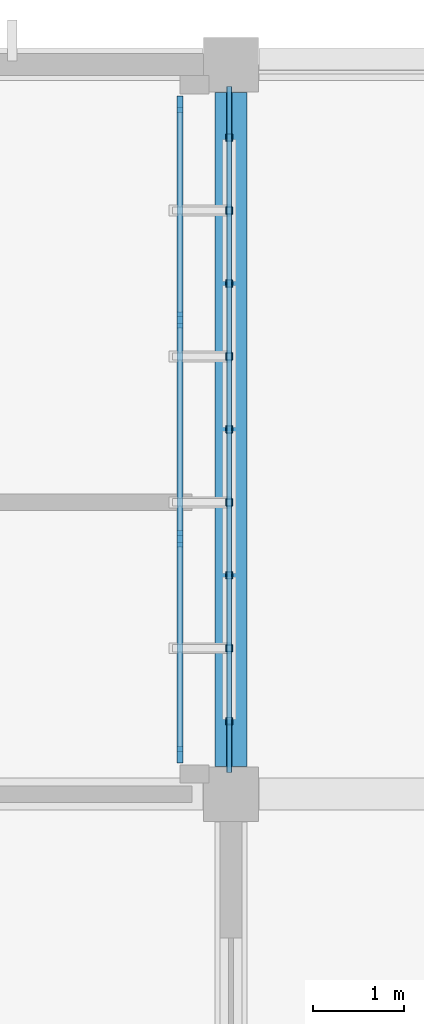
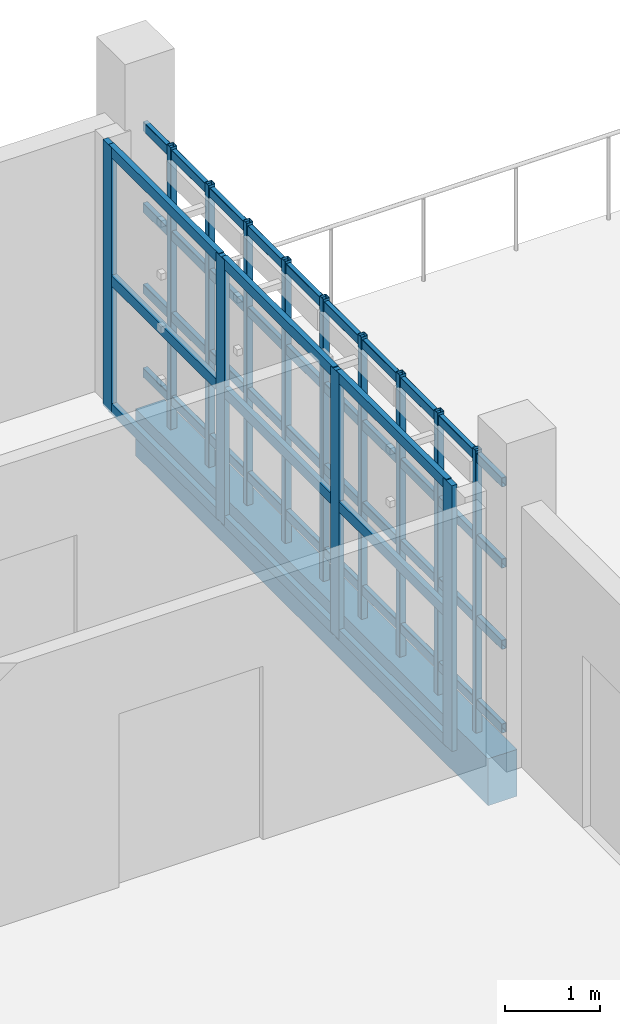
# One storey, part 25 of 48: 26 members, 1 beam, 1 element without a shape of its own.
"""IFC4 building model written with IfcOpenShell, lengths in metres."""

from ifc_helpers import new_model, si_unit, direction, frame, origin, origin_2d, place, context, subcontext, project, spatial, rectangle, hollow_rectangle, extrude, material, layer, layer_set, material_profile, profile_set, type_object, element, aggregate, save


model = new_model("IFC4")

# Units and contexts
model_context = context("Model", 3, precision=1e-05, world=origin(), true_north=direction((0.0, 1.0)))
body_context = subcontext(model_context, "Body", "Model", "MODEL_VIEW")
ifc_project = project(units=[si_unit("LENGTHUNIT", "METRE"), si_unit("AREAUNIT", "SQUARE_METRE"), si_unit("VOLUMEUNIT", "CUBIC_METRE"), si_unit("PLANEANGLEUNIT", "RADIAN"), si_unit("MASSUNIT", "GRAM", prefix="KILO")], contexts=[model_context])

# Site, building, storey
site_placement = place(None, origin())
site = spatial("IfcSite", under=ifc_project, at=site_placement, CompositionType="ELEMENT")
building_placement = place(site_placement, origin())
building = spatial("IfcBuilding", under=site, at=building_placement, Name="Jelvoka-Kovrelna Polytechnic", CompositionType="ELEMENT")
storey_placement = place(building_placement, frame((0.0, 0.0, 22.199951171875)))
storey = spatial("IfcBuildingStorey", under=building, at=storey_placement, Name="L06", CompositionType="ELEMENT", Elevation=22.199951171875)

# Beam
ifc_material_1 = material(Name="Concrete C35/45", Category="concrete")
ifc_material_profile_1 = material_profile(ifc_material_1, rectangle(XDim=0.35009765625, YDim=0.60009765625, at=origin_2d()), Name="RC 350x600")
ifc_profile_set_1 = profile_set([ifc_material_profile_1], Name="Concrete C35/45")
beam_type = type_object("IfcBeamType", Name="Beam_RC_350x600", PredefinedType="BEAM", material=ifc_profile_set_1)
beam_placement = place(storey_placement, frame((184.0, 64.304931640625, -0.5400390625), z_axis=(0.0, 1.0, 0.0), x_axis=(-1.0, 0.0, 0.0)))
element("IfcBeam", 1, at=beam_placement, inside=storey, type_object=beam_type, Name="L06 beam 1771", PredefinedType="BEAM", context=body_context, shape_type="SweptSolid", body=[
    extrude(rectangle(XDim=0.35009765625, YDim=0.60009765625, at=origin_2d()), origin(), (0.0, 0.0, 1.0), 7.39013671875),
])

# Members
ifc_material_2 = material(Name="Structural steel S355J2H", Category="steel")
ifc_material_profile_2 = material_profile(ifc_material_2, hollow_rectangle(XDim=0.06005859375, YDim=0.1201171875, WallThickness=0.0048828125, InnerFilletRadius=0.0048828125, OuterFilletRadius=0.007568359375, at=origin_2d()), Name="120x60x5.0 RHS")
ifc_profile_set_2 = profile_set([ifc_material_profile_2], Name="Structural steel S355J2H")
member_type_1 = type_object("IfcMemberType", Name="Member_Strut_RHS120", PredefinedType="STRUT", material=ifc_profile_set_2)
for number, where, z_axis, x_axis, name in (
    (2, (183.97998046875, 64.239990234375, 0.14013671875), (0.0, 1.0, 0.0), (-1.0, 0.0, 0.0), "L06 terracotta screen horizontal strut 0768"),
    (3, (183.97998046875, 64.239990234375, 1.2109375), (0.0, 1.0, 0.0), (-1.0, 0.0, 0.0), "L06 terracotta screen horizontal strut 0769"),
    (4, (183.97998046875, 64.239990234375, 2.25048828125), (0.0, 1.0, 0.0), (-1.0, 0.0, 0.0), "L06 terracotta screen horizontal strut 0770"),
    (5, (183.97998046875, 64.239990234375, 3.2900390625), (0.0, 1.0, 0.0), (-1.0, 0.0, 0.0), "L06 terracotta screen horizontal strut 0771"),
):
    element("IfcMember", number, at=place(storey_placement, frame(where, z_axis=z_axis, x_axis=x_axis)), inside=storey, type_object=member_type_1, Name=name, PredefinedType="STRUT", context=body_context, shape_type="SweptSolid", body=[
        extrude(hollow_rectangle(XDim=0.06005859375, YDim=0.1201171875, WallThickness=0.0048828125, InnerFilletRadius=0.0048828125, OuterFilletRadius=0.007568359375, at=origin_2d()), origin(), (0.0, 0.0, 1.0), 7.52001953125),
    ])
ifc_material_3 = material(Name="Structural steel S355J2H", Category="steel")
ifc_material_profile_3 = material_profile(ifc_material_3, hollow_rectangle(XDim=0.080078125, YDim=0.080078125, WallThickness=0.0048828125, InnerFilletRadius=0.0048828125, OuterFilletRadius=0.007568359375, at=origin_2d()), Name="80x80x5.0 SHS")
ifc_profile_set_3 = profile_set([ifc_material_profile_3], Name="Structural steel S355J2H")
member_type_2 = type_object("IfcMemberType", Name="Member_Strut_SHS80", PredefinedType="STRUT", material=ifc_profile_set_3)
for number, where, z_axis, x_axis, name in (
    (6, (183.97998046875, 64.800048828125, -0.22998046875), (0.0, 0.0, 1.0), (1.0, 0.0, 0.0), "L06 terracotta lattice vertical rib 0772"),
    (7, (183.97998046875, 65.60009765625, -0.22998046875), (0.0, 0.0, 1.0), (1.0, 0.0, 0.0), "L06 terracotta lattice vertical rib 0773"),
    (8, (183.97998046875, 66.39990234375, -0.22998046875), (0.0, 0.0, 1.0), (1.0, 0.0, 0.0), "L06 terracotta lattice vertical rib 0774"),
    (9, (183.97998046875, 67.199951171875, -0.22998046875), (0.0, 0.0, 1.0), (1.0, 0.0, 0.0), "L06 terracotta lattice vertical rib 0775"),
    (10, (183.97998046875, 68.0, -0.22998046875), (0.0, 0.0, 1.0), (1.0, 0.0, 0.0), "L06 terracotta lattice vertical rib 0776"),
    (11, (183.97998046875, 68.800048828125, -0.22998046875), (0.0, 0.0, 1.0), (1.0, 0.0, 0.0), "L06 terracotta lattice vertical rib 0777"),
    (12, (183.97998046875, 69.60009765625, -0.22998046875), (0.0, 0.0, 1.0), (1.0, 0.0, 0.0), "L06 terracotta lattice vertical rib 0778"),
    (13, (183.97998046875, 70.39990234375, -0.22998046875), (0.0, 0.0, 1.0), (1.0, 0.0, 0.0), "L06 terracotta lattice vertical rib 0779"),
    (14, (183.97998046875, 71.199951171875, -0.22998046875), (0.0, 0.0, 1.0), (1.0, 0.0, 0.0), "L06 terracotta lattice vertical rib 0780"),
):
    element("IfcMember", number, at=place(storey_placement, frame(where, z_axis=z_axis, x_axis=x_axis)), inside=storey, type_object=member_type_2, Name=name, PredefinedType="STRUT", context=body_context, shape_type="SweptSolid", body=[
        extrude(hollow_rectangle(XDim=0.080078125, YDim=0.080078125, WallThickness=0.0048828125, InnerFilletRadius=0.0048828125, OuterFilletRadius=0.007568359375, at=origin_2d()), origin(), (0.0, 0.0, 1.0), 3.610107421875),
    ])

# Curtain wall, members
ifc_material_4 = material(Name="Anodised aluminium 6063-T6", Category="aluminium")
ifc_layer = layer(ifc_material_4, 0.179931640625)
ifc_layer_set = layer_set([ifc_layer], Name="Anodised aluminium 6063-T6")
curtain_wall_type = type_object("IfcCurtainWallType", Name="CW_Recessed_B", PredefinedType="NOTDEFINED", material=ifc_layer_set)
curtain_wall_placement = place(storey_placement, origin())
curtain_wall = element("IfcCurtainWall", 15, at=curtain_wall_placement, inside=storey, type_object=curtain_wall_type, Name="L06 glazed curtain wall 092", PredefinedType="NOTDEFINED")
ifc_material_5 = material(Name="Anodised aluminium 6063-T6", Category="aluminium")
ifc_material_profile_4 = material_profile(ifc_material_5, rectangle(XDim=0.06494140625, YDim=0.179931640625, at=origin_2d()), Name="ALU 65x180")
ifc_profile_set_4 = profile_set([ifc_material_profile_4], Name="Anodised aluminium 6063-T6")
member_type_3 = type_object("IfcMemberType", Name="Mullion_M-02", PredefinedType="MULLION", material=ifc_profile_set_4)
member_1_placement = place(storey_placement, frame((183.43994140625, 71.5673828125, -0.02490234375), z_axis=(0.0, 0.0, 1.0), x_axis=(1.0, 0.0, 0.0)))
member_1 = element("IfcMember", 16, at=member_1_placement, type_object=member_type_3, Name="CW-02 mullion 1", PredefinedType="MULLION", context=body_context, shape_type="SweptSolid", body=[
    extrude(rectangle(XDim=0.06494140625, YDim=0.179931640625, at=origin_2d()), origin(), (0.0, 0.0, 1.0), 3.400146484375),
])
member_2_placement = place(storey_placement, frame((183.43994140625, 69.199951171875, -0.02490234375), z_axis=(0.0, 0.0, 1.0), x_axis=(1.0, 0.0, 0.0)))
member_2 = element("IfcMember", 17, at=member_2_placement, type_object=member_type_3, Name="CW-02 mullion 2", PredefinedType="MULLION", context=body_context, shape_type="SweptSolid", body=[
    extrude(rectangle(XDim=0.06494140625, YDim=0.179931640625, at=origin_2d()), origin(), (0.0, 0.0, 1.0), 3.400146484375),
])
member_3_placement = place(storey_placement, frame((183.43994140625, 66.800048828125, -0.02490234375), z_axis=(0.0, 0.0, 1.0), x_axis=(1.0, 0.0, 0.0)))
member_3 = element("IfcMember", 18, at=member_3_placement, type_object=member_type_3, Name="CW-02 mullion 3", PredefinedType="MULLION", context=body_context, shape_type="SweptSolid", body=[
    extrude(rectangle(XDim=0.06494140625, YDim=0.179931640625, at=origin_2d()), origin(), (0.0, 0.0, 1.0), 3.400146484375),
])
member_4_placement = place(storey_placement, frame((183.43994140625, 64.4326171875, -0.02490234375), z_axis=(0.0, 0.0, 1.0), x_axis=(1.0, 0.0, 0.0)))
member_4 = element("IfcMember", 19, at=member_4_placement, type_object=member_type_3, Name="CW-02 mullion 4", PredefinedType="MULLION", context=body_context, shape_type="SweptSolid", body=[
    extrude(rectangle(XDim=0.06494140625, YDim=0.179931640625, at=origin_2d()), origin(), (0.0, 0.0, 1.0), 3.400146484375),
])
ifc_material_6 = material(Name="Anodised aluminium 6063-T6", Category="aluminium")
ifc_material_profile_5 = material_profile(ifc_material_6, rectangle(XDim=0.06494140625, YDim=0.135009765625, at=origin_2d()), Name="ALU 65x135")
ifc_profile_set_5 = profile_set([ifc_material_profile_5], Name="Anodised aluminium 6063-T6")
member_type_4 = type_object("IfcMemberType", Name="Transom_T-02", PredefinedType="USERDEFINED", material=ifc_profile_set_5)
member_5_placement = place(storey_placement, frame((183.43994140625, 71.534912109375, 0.032470703125), z_axis=(0.0, -1.0, 0.0), x_axis=(1.0, 0.0, 0.0)))
member_5 = element("IfcMember", 20, at=member_5_placement, type_object=member_type_4, Name="CW-02 transom 1.1", ObjectType="TRANSOM", PredefinedType="USERDEFINED", context=body_context, shape_type="SweptSolid", body=[
    extrude(rectangle(XDim=0.06494140625, YDim=0.135009765625, at=origin_2d()), origin(), (0.0, 0.0, 1.0), 2.302490234375),
])
member_6_placement = place(storey_placement, frame((183.43994140625, 71.534912109375, 1.675048828125), z_axis=(0.0, -1.0, 0.0), x_axis=(1.0, 0.0, 0.0)))
member_6 = element("IfcMember", 21, at=member_6_placement, type_object=member_type_4, Name="CW-02 transom 1.2", ObjectType="TRANSOM", PredefinedType="USERDEFINED", context=body_context, shape_type="SweptSolid", body=[
    extrude(rectangle(XDim=0.06494140625, YDim=0.135009765625, at=origin_2d()), origin(), (0.0, 0.0, 1.0), 2.302490234375),
])
member_7_placement = place(storey_placement, frame((183.43994140625, 71.534912109375, 3.317626953125), z_axis=(0.0, -1.0, 0.0), x_axis=(1.0, 0.0, 0.0)))
member_7 = element("IfcMember", 22, at=member_7_placement, type_object=member_type_4, Name="CW-02 transom 1.3", ObjectType="TRANSOM", PredefinedType="USERDEFINED", context=body_context, shape_type="SweptSolid", body=[
    extrude(rectangle(XDim=0.06494140625, YDim=0.135009765625, at=origin_2d()), origin(), (0.0, 0.0, 1.0), 2.302490234375),
])
member_8_placement = place(storey_placement, frame((183.43994140625, 69.16748046875, 0.032470703125), z_axis=(0.0, -1.0, 0.0), x_axis=(1.0, 0.0, 0.0)))
member_8 = element("IfcMember", 23, at=member_8_placement, type_object=member_type_4, Name="CW-02 transom 2.1", ObjectType="TRANSOM", PredefinedType="USERDEFINED", context=body_context, shape_type="SweptSolid", body=[
    extrude(rectangle(XDim=0.06494140625, YDim=0.135009765625, at=origin_2d()), origin(), (0.0, 0.0, 1.0), 2.3349609375),
])
member_9_placement = place(storey_placement, frame((183.43994140625, 69.16748046875, 1.675048828125), z_axis=(0.0, -1.0, 0.0), x_axis=(1.0, 0.0, 0.0)))
member_9 = element("IfcMember", 24, at=member_9_placement, type_object=member_type_4, Name="CW-02 transom 2.2", ObjectType="TRANSOM", PredefinedType="USERDEFINED", context=body_context, shape_type="SweptSolid", body=[
    extrude(rectangle(XDim=0.06494140625, YDim=0.135009765625, at=origin_2d()), origin(), (0.0, 0.0, 1.0), 2.3349609375),
])
member_10_placement = place(storey_placement, frame((183.43994140625, 69.16748046875, 3.317626953125), z_axis=(0.0, -1.0, 0.0), x_axis=(1.0, 0.0, 0.0)))
member_10 = element("IfcMember", 25, at=member_10_placement, type_object=member_type_4, Name="CW-02 transom 2.3", ObjectType="TRANSOM", PredefinedType="USERDEFINED", context=body_context, shape_type="SweptSolid", body=[
    extrude(rectangle(XDim=0.06494140625, YDim=0.135009765625, at=origin_2d()), origin(), (0.0, 0.0, 1.0), 2.3349609375),
])
member_11_placement = place(storey_placement, frame((183.43994140625, 66.767578125, 0.032470703125), z_axis=(0.0, -1.0, 0.0), x_axis=(1.0, 0.0, 0.0)))
member_11 = element("IfcMember", 26, at=member_11_placement, type_object=member_type_4, Name="CW-02 transom 3.1", ObjectType="TRANSOM", PredefinedType="USERDEFINED", context=body_context, shape_type="SweptSolid", body=[
    extrude(rectangle(XDim=0.06494140625, YDim=0.135009765625, at=origin_2d()), origin(), (0.0, 0.0, 1.0), 2.302490234375),
])
member_12_placement = place(storey_placement, frame((183.43994140625, 66.767578125, 1.675048828125), z_axis=(0.0, -1.0, 0.0), x_axis=(1.0, 0.0, 0.0)))
member_12 = element("IfcMember", 27, at=member_12_placement, type_object=member_type_4, Name="CW-02 transom 3.2", ObjectType="TRANSOM", PredefinedType="USERDEFINED", context=body_context, shape_type="SweptSolid", body=[
    extrude(rectangle(XDim=0.06494140625, YDim=0.135009765625, at=origin_2d()), origin(), (0.0, 0.0, 1.0), 2.302490234375),
])
member_13_placement = place(storey_placement, frame((183.43994140625, 66.767578125, 3.317626953125), z_axis=(0.0, -1.0, 0.0), x_axis=(1.0, 0.0, 0.0)))
member_13 = element("IfcMember", 28, at=member_13_placement, type_object=member_type_4, Name="CW-02 transom 3.3", ObjectType="TRANSOM", PredefinedType="USERDEFINED", context=body_context, shape_type="SweptSolid", body=[
    extrude(rectangle(XDim=0.06494140625, YDim=0.135009765625, at=origin_2d()), origin(), (0.0, 0.0, 1.0), 2.302490234375),
])
aggregate(curtain_wall, [member_1, member_2, member_3, member_4, member_5, member_6, member_7, member_8, member_9, member_10, member_11, member_12, member_13])

save(model, "model.ifc")
